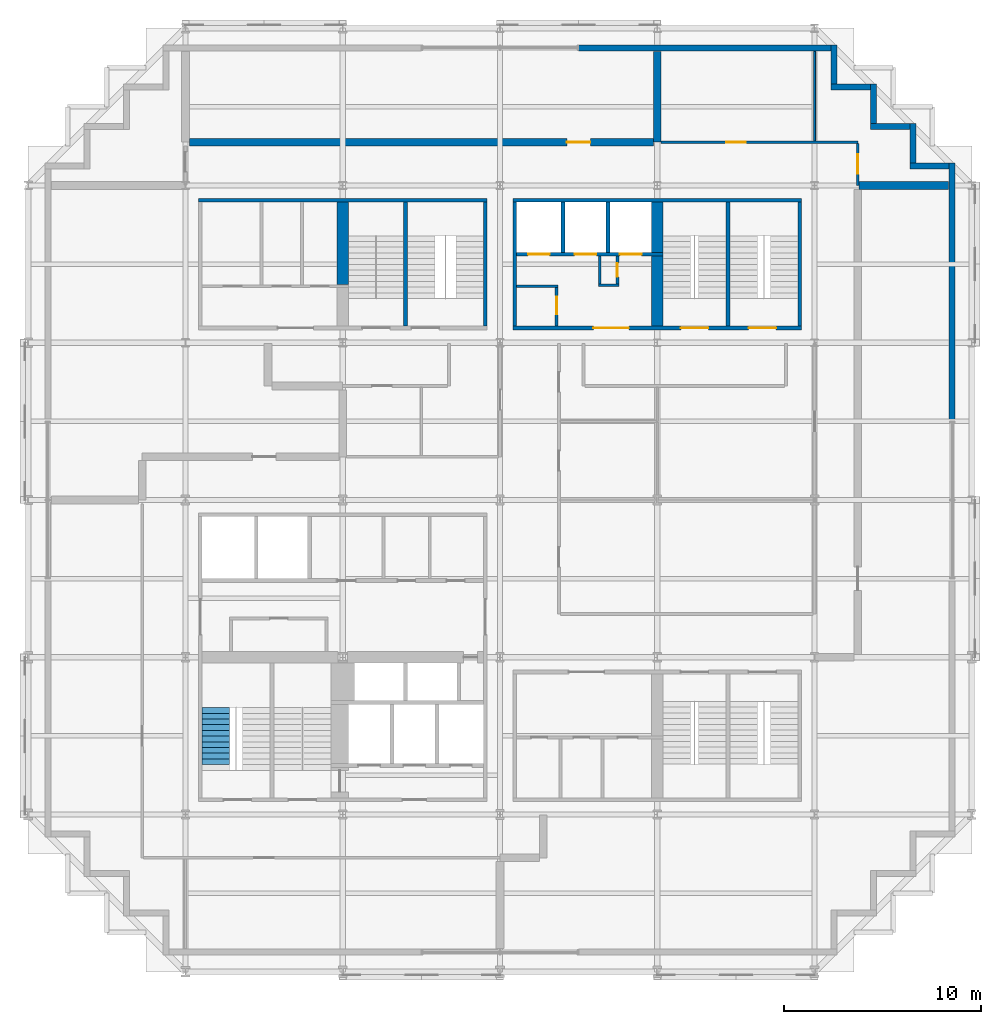
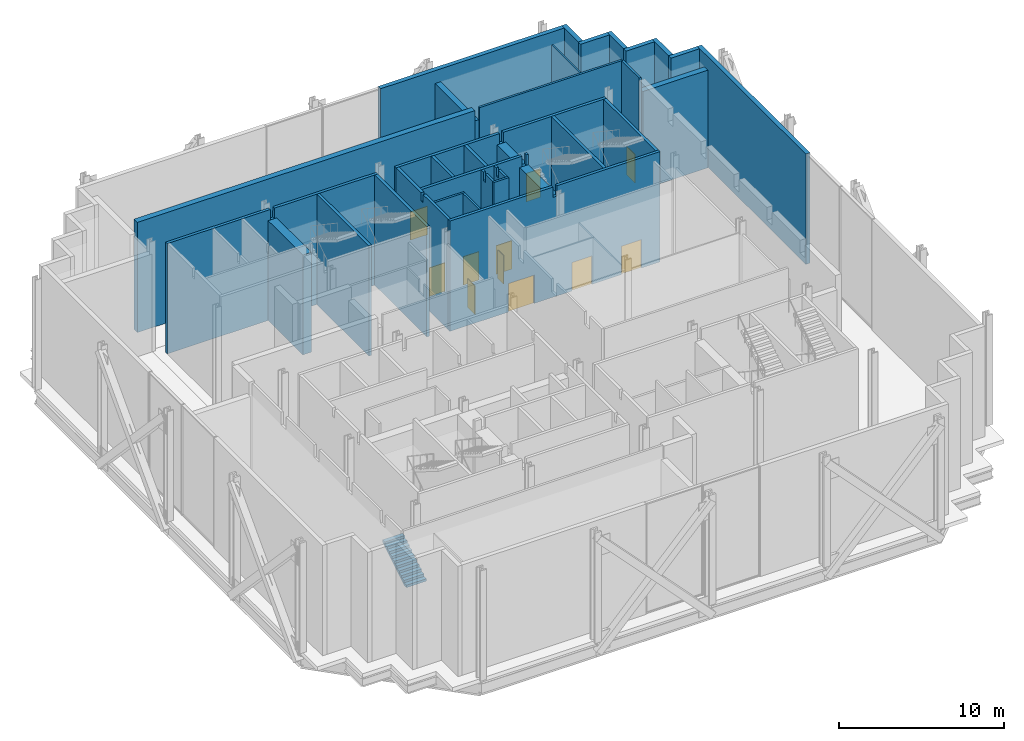
# One storey, part 10 of 13: 33 walls, 11 doors, 1 stair flight, 11 openings, 1 element without a shape of its own.
"""IFC4 building model written with IfcOpenShell, lengths in metres."""

from ifc_helpers import new_model, si_unit, direction, frame, frame_2d, origin, place, context, subcontext, project, spatial, polyline, rectangle, outline, extrude, material, layer, layer_set, type_object, element, fill, aggregate, save


model = new_model("IFC4")

# Units and contexts
model_context = context("Model", 3, precision=1e-05, world=origin(), true_north=direction((0.0, 1.0)))
body_context = subcontext(model_context, "Body", "Model", "MODEL_VIEW")
ifc_project = project(units=[si_unit("LENGTHUNIT", "METRE"), si_unit("AREAUNIT", "SQUARE_METRE"), si_unit("VOLUMEUNIT", "CUBIC_METRE"), si_unit("PLANEANGLEUNIT", "RADIAN"), si_unit("MASSUNIT", "GRAM", prefix="KILO")], contexts=[model_context])

# Site, building, storey
site_placement = place(None, origin())
site = spatial("IfcSite", under=ifc_project, at=site_placement, CompositionType="ELEMENT")
building_placement = place(site_placement, origin())
building = spatial("IfcBuilding", under=site, at=building_placement, Name="Immortelle Media Tower", CompositionType="ELEMENT")
storey_placement = place(building_placement, frame((0.0, 0.0, 21.0)))
storey = spatial("IfcBuildingStorey", under=building, at=storey_placement, Name="L02", CompositionType="ELEMENT", Elevation=21.0)

# Wall
ifc_material_1 = material(Name="Fire-rated gypsum board", Category="gypsum")
ifc_layer_1 = layer(ifc_material_1, 0.02490234375)
ifc_material_2 = material(Name="Steel ASTM A653 SS Gr 50 stud frame with mineral wool", Category="steel")
ifc_layer_2 = layer(ifc_material_2, 0.10009765625)
ifc_layer_3 = layer(ifc_material_1, 0.02490234375)
ifc_layer_set_1 = layer_set([ifc_layer_1, ifc_layer_2, ifc_layer_3], Name="Steel ASTM A653 SS Gr 50 stud frame with mineral wool")
wall_type_1 = type_object("IfcWallType", Name="Core partition 150", PredefinedType="PARTITIONING", material=ifc_layer_set_1)
wall_1_placement = place(storey_placement, frame((24.85009765625, 34.875, 0.0), z_axis=(0.0, 0.0, 1.0), x_axis=(1.0, 0.0, 0.0)))
element("IfcWall", 1, at=wall_1_placement, inside=storey, type_object=wall_type_1, Name="Core partition NE", PredefinedType="PARTITIONING", context=body_context, shape_type="SweptSolid", body=[
    extrude(rectangle(XDim=2.099853515625, YDim=0.14990234375, at=frame_2d((1.0498046875, 0.0))), origin(), (0.0, 0.0, 1.0), 8.14990234375),
])

# Wall, opening, door
wall_2_placement = place(storey_placement, frame((26.875, 32.85009765625, 0.0), z_axis=(0.0, 0.0, 1.0), x_axis=(0.0, 1.0, 0.0)))
wall_2 = element("IfcWall", 2, at=wall_2_placement, inside=storey, type_object=wall_type_1, Name="Core partition NE", PredefinedType="PARTITIONING", context=body_context, shape_type="SweptSolid", body=[
    extrude(rectangle(XDim=1.949951171875, YDim=0.14990234375, at=frame_2d((0.97509765625, 0.0))), origin(), (0.0, 0.0, 1.0), 8.14990234375),
])
opening_1_placement = place(wall_2_placement, frame((0.60009765625, 0.0, 0.0)))
opening_1 = element("IfcOpeningElement", 3, at=opening_1_placement, cuts=wall_2, Name="Opening P2-K028", PredefinedType="OPENING", context=body_context, shape_type="SweptSolid", body=[
    extrude(rectangle(XDim=0.89990234375, YDim=2.10009765625, at=frame_2d((0.449951171875, 1.050048828125))), frame((0.0, 0.0849609375, 0.0), z_axis=(0.0, -1.0, 0.0), x_axis=(1.0, 0.0, 0.0)), (0.0, 0.0, 1.0), 0.169921875),
])
ifc_material_3 = material(Name="Galvanised steel door leaf and frame ASTM A653", Category="steel")
door_type_1 = type_object("IfcDoorType", Name="Service door 900 x 2100", OperationType="NOTDEFINED", PredefinedType="NOTDEFINED", material=ifc_material_3)
door_1_placement = place(opening_1_placement, origin())
door_1 = element("IfcDoor", 4, at=door_1_placement, inside=storey, type_object=door_type_1, Name="Service P2-K028", OperationType="SINGLE_SWING_LEFT", OverallHeight=2.10009765625, OverallWidth=0.89990234375, PredefinedType="NOTDEFINED", context=body_context, shape_type="SweptSolid", body=[
    extrude(rectangle(XDim=0.89990234375, YDim=2.10009765625, at=frame_2d((0.449951171875, 1.050048828125))), frame((0.0, 0.02490234375, 0.0), z_axis=(0.0, -1.0, 0.0), x_axis=(1.0, 0.0, 0.0)), (0.0, 0.0, 1.0), 0.050048828125),
])
fill(opening_1, door_1)

# Walls
wall_3_placement = place(storey_placement, frame((29.0, 34.925048828125, 0.0), z_axis=(0.0, 0.0, 1.0), x_axis=(1.0, 0.0, 0.0)))
element("IfcWall", 5, at=wall_3_placement, inside=storey, type_object=wall_type_1, Name="Core partition NE", PredefinedType="PARTITIONING", context=body_context, shape_type="SweptSolid", body=[
    extrude(rectangle(XDim=1.050048828125, YDim=0.14990234375, at=frame_2d((0.52490234375, 0.0))), origin(), (0.0, 0.0, 1.0), 8.14990234375),
])
wall_4_placement = place(storey_placement, frame((29.074951171875, 35.0, 0.0), z_axis=(0.0, 0.0, 1.0), x_axis=(0.0, 1.0, 0.0)))
element("IfcWall", 6, at=wall_4_placement, inside=storey, type_object=wall_type_1, Name="Core partition NE", PredefinedType="PARTITIONING", context=body_context, shape_type="SweptSolid", body=[
    extrude(outline(polyline([(0.0, 0.0), (1.39990234375, 0.0), (1.39990234375, 8.14990234375), (1.119384765625, 8.14990234375), (1.118408203125, 7.531982421875), (0.881591796875, 7.531982421875), (0.880615234375, 8.14990234375), (0.0, 8.14990234375), (0.0, 0.0)])), frame((0.0, 0.074951171875, 0.0), z_axis=(0.0, -1.0, 0.0), x_axis=(1.0, 0.0, 0.0)), (0.0, 0.0, 1.0), 0.14990234375),
])

# Wall, opening, door
wall_5_placement = place(storey_placement, frame((29.97509765625, 35.0, 0.0), z_axis=(0.0, 0.0, 1.0), x_axis=(0.0, 1.0, 0.0)))
wall_5 = element("IfcWall", 7, at=wall_5_placement, inside=storey, type_object=wall_type_1, Name="Core partition NE", PredefinedType="PARTITIONING", context=body_context, shape_type="SweptSolid", body=[
    extrude(outline(polyline([(0.0, 0.0), (1.39990234375, 0.0), (1.39990234375, 8.14990234375), (1.119384765625, 8.14990234375), (1.118408203125, 7.531982421875), (0.881591796875, 7.531982421875), (0.880615234375, 8.14990234375), (0.0, 8.14990234375), (0.0, 0.0)])), frame((0.0, 0.074951171875, 0.0), z_axis=(0.0, -1.0, 0.0), x_axis=(1.0, 0.0, 0.0)), (0.0, 0.0, 1.0), 0.14990234375),
])
opening_2_placement = place(wall_5_placement, frame((0.35009765625, 0.0, 0.0)))
opening_2 = element("IfcOpeningElement", 8, at=opening_2_placement, cuts=wall_5, Name="Opening P2-K031", PredefinedType="OPENING", context=body_context, shape_type="SweptSolid", body=[
    extrude(rectangle(XDim=0.699951171875, YDim=2.10009765625, at=frame_2d((0.35009765625, 1.050048828125))), frame((0.0, 0.0849609375, 0.0), z_axis=(0.0, -1.0, 0.0), x_axis=(1.0, 0.0, 0.0)), (0.0, 0.0, 1.0), 0.169921875),
])
door_type_2 = type_object("IfcDoorType", Name="Service door 700 x 2100", OperationType="NOTDEFINED", PredefinedType="NOTDEFINED", material=ifc_material_3)
door_2_placement = place(opening_2_placement, origin())
door_2 = element("IfcDoor", 9, at=door_2_placement, inside=storey, type_object=door_type_2, Name="Service P2-K031", OperationType="SINGLE_SWING_RIGHT", OverallHeight=2.10009765625, OverallWidth=0.699951171875, PredefinedType="NOTDEFINED", context=body_context, shape_type="SweptSolid", body=[
    extrude(rectangle(XDim=0.699951171875, YDim=2.10009765625, at=frame_2d((0.35009765625, 1.050048828125))), frame((0.0, 0.02490234375, 0.0), z_axis=(0.0, -1.0, 0.0), x_axis=(1.0, 0.0, 0.0)), (0.0, 0.0, 1.0), 0.050048828125),
])
fill(opening_2, door_2)

# Wall
ifc_layer_4 = layer(ifc_material_1, 0.03759765625)
ifc_layer_5 = layer(ifc_material_2, 0.125)
ifc_layer_6 = layer(ifc_material_1, 0.03759765625)
ifc_layer_set_2 = layer_set([ifc_layer_4, ifc_layer_5, ifc_layer_6], Name="Steel ASTM A653 SS Gr 50 stud frame with mineral wool")
wall_type_2 = type_object("IfcWallType", Name="Core shaft wall 200", PredefinedType="PARTITIONING", material=ifc_layer_set_2)
wall_6_placement = place(storey_placement, frame((24.75, 32.85009765625, 0.0), z_axis=(0.0, 0.0, 1.0), x_axis=(0.0, 1.0, 0.0)))
element("IfcWall", 10, at=wall_6_placement, inside=storey, type_object=wall_type_2, Name="Core shaft wall NE", PredefinedType="PARTITIONING", context=body_context, shape_type="SweptSolid", body=[
    extrude(outline(polyline([(0.0, 0.0), (6.2998046875, 0.0), (6.300048828125, 8.14990234375), (3.26953125, 8.14990234375), (3.2685546875, 7.531982421875), (3.031494140625, 7.531982421875), (3.030517578125, 8.14990234375), (0.0, 8.14990234375), (0.0, 0.0)])), frame((0.0, 0.10009765625, 0.0), z_axis=(0.0, -1.0, 0.0), x_axis=(1.0, 0.0, 0.0)), (0.0, 0.0, 1.0), 0.199951171875),
])

# Wall, openings, doors
wall_7_placement = place(storey_placement, frame((24.85009765625, 36.5, 0.0), z_axis=(0.0, 0.0, 1.0), x_axis=(1.0, 0.0, 0.0)))
wall_7 = element("IfcWall", 11, at=wall_7_placement, inside=storey, type_object=wall_type_2, Name="Core shaft wall NE", PredefinedType="PARTITIONING", context=body_context, shape_type="SweptSolid", body=[
    extrude(outline(polyline([(0.0, 0.0), (7.449951171875, 0.0), (7.449951171875, 8.14990234375), (7.28857421875, 8.14990234375), (7.28759765625, 7.382080078125), (7.012451171875, 7.382080078125), (7.011474609375, 8.14990234375), (0.0, 8.14990234375), (0.0, 0.0)])), frame((0.0, 0.10009765625, 0.0), z_axis=(0.0, -1.0, 0.0), x_axis=(1.0, 0.0, 0.0)), (0.0, 0.0, 1.0), 0.199951171875),
])
opening_3_placement = place(wall_7_placement, frame((0.574951171875, 0.0, 0.0)))
opening_3 = element("IfcOpeningElement", 12, at=opening_3_placement, cuts=wall_7, Name="Opening LD", PredefinedType="OPENING", context=body_context, shape_type="SweptSolid", body=[
    extrude(rectangle(XDim=1.10009765625, YDim=2.10009765625, at=frame_2d((0.550048828125, 1.050048828125))), frame((0.0, 0.10986328125, 0.0), z_axis=(0.0, -1.0, 0.0), x_axis=(1.0, 0.0, 0.0)), (0.0, 0.0, 1.0), 0.219970703125),
])
opening_4_placement = place(wall_7_placement, frame((2.949951171875, 0.0, 0.0)))
opening_4 = element("IfcOpeningElement", 13, at=opening_4_placement, cuts=wall_7, Name="Opening LD", PredefinedType="OPENING", context=body_context, shape_type="SweptSolid", body=[
    extrude(rectangle(XDim=1.10009765625, YDim=2.10009765625, at=frame_2d((0.550048828125, 1.050048828125))), frame((0.0, 0.10986328125, 0.0), z_axis=(0.0, -1.0, 0.0), x_axis=(1.0, 0.0, 0.0)), (0.0, 0.0, 1.0), 0.219970703125),
])
opening_5_placement = place(wall_7_placement, frame((5.25, 0.0, 0.0)))
opening_5 = element("IfcOpeningElement", 14, at=opening_5_placement, cuts=wall_7, Name="Opening LD", PredefinedType="OPENING", context=body_context, shape_type="SweptSolid", body=[
    extrude(rectangle(XDim=1.10009765625, YDim=2.10009765625, at=frame_2d((0.550048828125, 1.050048828125))), frame((0.0, 0.10986328125, 0.0), z_axis=(0.0, -1.0, 0.0), x_axis=(1.0, 0.0, 0.0)), (0.0, 0.0, 1.0), 0.219970703125),
])
ifc_material_4 = material(Name="Stainless steel AISI 304", Category="steel")
door_type_3 = type_object("IfcDoorType", Name="Landing door 1100 x 2100", OperationType="SLIDING_TO_LEFT", PredefinedType="NOTDEFINED", material=ifc_material_4)
door_3_placement = place(opening_3_placement, origin())
door_3 = element("IfcDoor", 15, at=door_3_placement, inside=storey, type_object=door_type_3, Name="Landing door LR1 L02", OperationType="SLIDING_TO_LEFT", OverallHeight=2.10009765625, OverallWidth=1.10009765625, PredefinedType="NOTDEFINED", context=body_context, shape_type="SweptSolid", body=[
    extrude(rectangle(XDim=1.10009765625, YDim=2.10009765625, at=frame_2d((0.550048828125, 1.050048828125))), frame((0.0, 0.02490234375, 0.0), z_axis=(0.0, -1.0, 0.0), x_axis=(1.0, 0.0, 0.0)), (0.0, 0.0, 1.0), 0.050048828125),
])
fill(opening_3, door_3)
door_4_placement = place(opening_4_placement, origin())
door_4 = element("IfcDoor", 16, at=door_4_placement, inside=storey, type_object=door_type_3, Name="Landing door LR2 L02", OperationType="SLIDING_TO_LEFT", OverallHeight=2.10009765625, OverallWidth=1.10009765625, PredefinedType="NOTDEFINED", context=body_context, shape_type="SweptSolid", body=[
    extrude(rectangle(XDim=1.10009765625, YDim=2.10009765625, at=frame_2d((0.550048828125, 1.050048828125))), frame((0.0, 0.02490234375, 0.0), z_axis=(0.0, -1.0, 0.0), x_axis=(1.0, 0.0, 0.0)), (0.0, 0.0, 1.0), 0.050048828125),
])
fill(opening_4, door_4)
door_5_placement = place(opening_5_placement, origin())
door_5 = element("IfcDoor", 17, at=door_5_placement, inside=storey, type_object=door_type_3, Name="Landing door LR3 L02", OperationType="SLIDING_TO_LEFT", OverallHeight=2.10009765625, OverallWidth=1.10009765625, PredefinedType="NOTDEFINED", context=body_context, shape_type="SweptSolid", body=[
    extrude(rectangle(XDim=1.10009765625, YDim=2.10009765625, at=frame_2d((0.550048828125, 1.050048828125))), frame((0.0, 0.02490234375, 0.0), z_axis=(0.0, -1.0, 0.0), x_axis=(1.0, 0.0, 0.0)), (0.0, 0.0, 1.0), 0.050048828125),
])
fill(opening_5, door_5)

# Walls
for number, where, z_axis, x_axis, name in (
    (18, (27.199951171875, 36.60009765625, 0.0), (0.0, 0.0, 1.0), (0.0, 1.0, 0.0), "Core shaft wall NE"),
    (19, (29.5, 36.60009765625, 0.0), (0.0, 0.0, 1.0), (0.0, 1.0, 0.0), "Core shaft wall NE"),
):
    element("IfcWall", number, at=place(storey_placement, frame(where, z_axis=z_axis, x_axis=x_axis)), inside=storey, type_object=wall_type_2, Name=name, PredefinedType="PARTITIONING", context=body_context, shape_type="SweptSolid", body=[
        extrude(rectangle(XDim=2.5498046875, YDim=0.199951171875, at=frame_2d((1.27490234375, 0.0))), origin(), (0.0, 0.0, 1.0), 8.14990234375),
    ])

# Wall, opening, door
ifc_layer_7 = layer(ifc_material_1, 0.012451171875)
ifc_layer_8 = layer(ifc_material_2, 0.125)
ifc_layer_9 = layer(ifc_material_1, 0.012451171875)
ifc_layer_set_3 = layer_set([ifc_layer_7, ifc_layer_8, ifc_layer_9], Name="Steel ASTM A653 SS Gr 50 stud frame with mineral wool")
wall_type_3 = type_object("IfcWallType", Name="Corridor wall 150", PredefinedType="PARTITIONING", material=ifc_layer_set_3)
wall_8_placement = place(storey_placement, frame((42.199951171875, 40.0, 0.0), z_axis=(0.0, 0.0, 1.0), x_axis=(0.0, 1.0, 0.0)))
wall_8 = element("IfcWall", 20, at=wall_8_placement, inside=storey, type_object=wall_type_3, Name="Partition L02-033", PredefinedType="PARTITIONING", context=body_context, shape_type="SweptSolid", body=[
    extrude(rectangle(XDim=2.125, YDim=0.14990234375, at=frame_2d((1.0625, 0.0))), origin(), (0.0, 0.0, 1.0), 8.14990234375),
])
opening_6_placement = place(wall_8_placement, frame((1.60009765625, 0.0, 0.0), z_axis=(0.0, 0.0, 1.0), x_axis=(-1.0, 0.0, 0.0)))
opening_6 = element("IfcOpeningElement", 21, at=opening_6_placement, cuts=wall_8, Name="Opening P2-F012", PredefinedType="OPENING", context=body_context, shape_type="SweptSolid", body=[
    extrude(rectangle(XDim=1.0, YDim=2.10009765625, at=frame_2d((0.5, 1.050048828125))), frame((0.0, 0.0849609375, 0.0), z_axis=(0.0, -1.0, 0.0), x_axis=(1.0, 0.0, 0.0)), (0.0, 0.0, 1.0), 0.169921875),
])
ifc_material_5 = material(Name="Timber veneered door leaf, galvanised steel frame ASTM A653", Category="steel")
door_type_4 = type_object("IfcDoorType", Name="Room door 1000 x 2100", OperationType="NOTDEFINED", PredefinedType="DOOR", material=ifc_material_5)
door_6_placement = place(opening_6_placement, origin())
door_6 = element("IfcDoor", 22, at=door_6_placement, inside=storey, type_object=door_type_4, Name="Door P2-F012", OperationType="SINGLE_SWING_RIGHT", OverallHeight=2.10009765625, OverallWidth=1.0, PredefinedType="DOOR", context=body_context, shape_type="SweptSolid", body=[
    extrude(rectangle(XDim=1.0, YDim=2.10009765625, at=frame_2d((0.5, 1.050048828125))), frame((0.0, 0.02490234375, 0.0), z_axis=(0.0, -1.0, 0.0), x_axis=(1.0, 0.0, 0.0)), (0.0, 0.0, 1.0), 0.050048828125),
])
fill(opening_6, door_6)

wall_9_placement = place(storey_placement, frame((32.199951171875, 42.199951171875, 0.0), z_axis=(0.0, 0.0, 1.0), x_axis=(1.0, 0.0, 0.0)))
wall_9 = element("IfcWall", 23, at=wall_9_placement, inside=storey, type_object=wall_type_3, Name="Partition L02-037", PredefinedType="PARTITIONING", context=body_context, shape_type="SweptSolid", body=[
    extrude(rectangle(XDim=10.0, YDim=0.14990234375, at=frame_2d((5.0, 0.0))), origin(), (0.0, 0.0, 1.0), 8.14990234375),
])
opening_7_placement = place(wall_9_placement, frame((3.300048828125, 0.0, 0.0)))
opening_7 = element("IfcOpeningElement", 24, at=opening_7_placement, cuts=wall_9, Name="Opening P2-F014", PredefinedType="OPENING", context=body_context, shape_type="SweptSolid", body=[
    extrude(rectangle(XDim=1.0, YDim=2.10009765625, at=frame_2d((0.5, 1.050048828125))), frame((0.0, 0.0849609375, 0.0), z_axis=(0.0, -1.0, 0.0), x_axis=(1.0, 0.0, 0.0)), (0.0, 0.0, 1.0), 0.169921875),
])
door_7_placement = place(opening_7_placement, origin())
door_7 = element("IfcDoor", 25, at=door_7_placement, inside=storey, type_object=door_type_4, Name="Door P2-F014", OperationType="SINGLE_SWING_LEFT", OverallHeight=2.10009765625, OverallWidth=1.0, PredefinedType="DOOR", context=body_context, shape_type="SweptSolid", body=[
    extrude(rectangle(XDim=1.0, YDim=2.10009765625, at=frame_2d((0.5, 1.050048828125))), frame((0.0, 0.02490234375, 0.0), z_axis=(0.0, -1.0, 0.0), x_axis=(1.0, 0.0, 0.0)), (0.0, 0.0, 1.0), 0.050048828125),
])
fill(opening_7, door_7)

# Walls
ifc_material_6 = material(Name="Pale aluminium cladding panel", Category="aluminium")
ifc_layer_10 = layer(ifc_material_6, 0.030029296875)
ifc_layer_11 = layer(ifc_material_2, 0.257568359375)
ifc_material_7 = material(Name="Moisture-resistant gypsum board", Category="gypsum")
ifc_layer_12 = layer(ifc_material_7, 0.012451171875)
ifc_layer_set_4 = layer_set([ifc_layer_10, ifc_layer_11, ifc_layer_12], Name="Steel ASTM A653 SS Gr 50 stud frame with mineral wool")
wall_type_4 = type_object("IfcWallType", Name="Pale metal clad wall 300", PredefinedType="STANDARD", material=ifc_layer_set_4)
wall_10_placement = place(storey_placement, frame((47.0, 28.0, 0.0), z_axis=(0.0, 0.0, 1.0), x_axis=(0.0, 1.0, 0.0)))
element("IfcWall", 26, at=wall_10_placement, inside=storey, type_object=wall_type_4, Name="Studio wall L02 E 14-3", PredefinedType="STANDARD", context=body_context, shape_type="SweptSolid", body=[
    extrude(rectangle(XDim=13.14990234375, YDim=0.300048828125, at=frame_2d((6.574951171875, 0.0))), origin(), (0.0, 0.0, 1.0), 8.14990234375),
])
for number, where, z_axis, x_axis, name in (
    (27, (46.85009765625, 41.0, 0.0), (0.0, 0.0, 1.0), (-1.0, 0.0, 0.0), "Studio wall L02 N 15"),
    (28, (45.0, 41.14990234375, 0.0), (0.0, 0.0, 1.0), (0.0, 1.0, 0.0), "Studio wall L02 E 16"),
    (29, (44.85009765625, 43.0, 0.0), (0.0, 0.0, 1.0), (-1.0, 0.0, 0.0), "Studio wall L02 N 17"),
    (30, (43.0, 43.14990234375, 0.0), (0.0, 0.0, 1.0), (0.0, 1.0, 0.0), "Studio wall L02 E 18"),
    (31, (42.85009765625, 45.0, 0.0), (0.0, 0.0, 1.0), (-1.0, 0.0, 0.0), "Studio wall L02 N 19"),
    (32, (41.0, 45.14990234375, 0.0), (0.0, 0.0, 1.0), (0.0, 1.0, 0.0), "Studio wall L02 E 20"),
):
    element("IfcWall", number, at=place(storey_placement, frame(where, z_axis=z_axis, x_axis=x_axis)), inside=storey, type_object=wall_type_4, Name=name, PredefinedType="STANDARD", context=body_context, shape_type="SweptSolid", body=[
        extrude(rectangle(XDim=2.0, YDim=0.300048828125, at=frame_2d((1.0, 0.0))), origin(), (0.0, 0.0, 1.0), 8.14990234375),
    ])
wall_11_placement = place(storey_placement, frame((40.85009765625, 47.0, 0.0), z_axis=(0.0, 0.0, 1.0), x_axis=(-1.0, 0.0, 0.0)))
element("IfcWall", 33, at=wall_11_placement, inside=storey, type_object=wall_type_4, Name="Studio wall L02 N 21-1", PredefinedType="STANDARD", context=body_context, shape_type="SweptSolid", body=[
    extrude(rectangle(XDim=12.85009765625, YDim=0.300048828125, at=frame_2d((6.425048828125, 0.0))), origin(), (0.0, 0.0, 1.0), 8.14990234375),
])
ifc_material_8 = material(Name="Gypsum board", Category="gypsum")
ifc_layer_13 = layer(ifc_material_8, 0.012451171875)
ifc_layer_14 = layer(ifc_material_2, 0.074951171875)
ifc_layer_15 = layer(ifc_material_8, 0.012451171875)
ifc_layer_set_5 = layer_set([ifc_layer_13, ifc_layer_14, ifc_layer_15], Name="Steel ASTM A653 SS Gr 50 stud frame with mineral wool")
wall_type_5 = type_object("IfcWallType", Name="Partition 100", PredefinedType="PARTITIONING", material=ifc_layer_set_5)
wall_12_placement = place(storey_placement, frame((40.0, 42.27490234375, 0.0), z_axis=(0.0, 0.0, 1.0), x_axis=(0.0, 1.0, 0.0)))
element("IfcWall", 34, at=wall_12_placement, inside=storey, type_object=wall_type_5, Name="Partition L02-039", PredefinedType="PARTITIONING", context=body_context, shape_type="SweptSolid", body=[
    extrude(rectangle(XDim=4.545166015625, YDim=0.10009765625, at=frame_2d((2.2724609375, 0.0))), origin(), (0.0, 0.0, 1.0), 7.222900390625),
])
ifc_material_9 = material(Name="Concrete C60", Category="concrete")
ifc_layer_16 = layer(ifc_material_9, 0.199951171875)
ifc_layer_set_6 = layer_set([ifc_layer_16], Name="Concrete C60")
wall_type_6 = type_object("IfcWallType", Name="Stair shaft wall 200", PredefinedType="PARTITIONING", material=ifc_layer_set_6)
wall_13_placement = place(storey_placement, frame((8.64990234375, 39.25, 0.0), z_axis=(0.0, 0.0, 1.0), x_axis=(1.0, 0.0, 0.0)))
element("IfcWall", 35, at=wall_13_placement, inside=storey, type_object=wall_type_6, Name="Stair shaft wall NW", PredefinedType="PARTITIONING", context=body_context, shape_type="SweptSolid", body=[
    extrude(outline(polyline([(0.0, 0.0), (14.7001953125, 0.0), (14.699951171875, 8.14990234375), (7.488525390625, 8.14990234375), (7.487548828125, 7.382080078125), (7.21240234375, 7.382080078125), (7.21142578125, 8.14990234375), (0.0, 8.14990234375), (0.0, 0.0)])), frame((0.0, 0.10009765625, 0.0), z_axis=(0.0, -1.0, 0.0), x_axis=(1.0, 0.0, 0.0)), (0.0, 0.0, 1.0), 0.199951171875),
])
for number, where, z_axis, x_axis, name in (
    (36, (19.199951171875, 32.85009765625, 0.0), (0.0, 0.0, 1.0), (0.0, 1.0, 0.0), "Stair shaft wall NW"),
    (37, (23.25, 32.85009765625, 0.0), (0.0, 0.0, 1.0), (0.0, 1.0, 0.0), "Stair shaft wall NW"),
):
    element("IfcWall", number, at=place(storey_placement, frame(where, z_axis=z_axis, x_axis=x_axis)), inside=storey, type_object=wall_type_6, Name=name, PredefinedType="PARTITIONING", context=body_context, shape_type="SweptSolid", body=[
        extrude(rectangle(XDim=6.2998046875, YDim=0.199951171875, at=frame_2d((3.14990234375, 0.0))), origin(), (0.0, 0.0, 1.0), 8.14990234375),
    ])

# Wall, openings, doors
wall_14_placement = place(storey_placement, frame((24.64990234375, 32.75, 0.0), z_axis=(0.0, 0.0, 1.0), x_axis=(1.0, 0.0, 0.0)))
wall_14 = element("IfcWall", 38, at=wall_14_placement, inside=storey, type_object=wall_type_6, Name="Stair shaft wall NE", PredefinedType="PARTITIONING", context=body_context, shape_type="SweptSolid", body=[
    extrude(outline(polyline([(0.0, 0.0), (14.7001953125, 0.0), (14.699951171875, 8.14990234375), (7.488525390625, 8.14990234375), (7.487548828125, 7.382080078125), (7.21240234375, 7.382080078125), (7.21142578125, 8.14990234375), (0.0, 8.14990234375), (0.0, 0.0)])), frame((0.0, 0.10009765625, 0.0), z_axis=(0.0, -1.0, 0.0), x_axis=(1.0, 0.0, 0.0)), (0.0, 0.0, 1.0), 0.199951171875),
])
opening_8_placement = place(wall_14_placement, frame((4.10009765625, 0.0, 0.0)))
opening_8 = element("IfcOpeningElement", 39, at=opening_8_placement, cuts=wall_14, Name="Opening P2-K030", PredefinedType="OPENING", context=body_context, shape_type="SweptSolid", body=[
    extrude(rectangle(XDim=1.800048828125, YDim=2.10009765625, at=frame_2d((0.89990234375, 1.050048828125))), frame((0.0, 0.10986328125, 0.0), z_axis=(0.0, -1.0, 0.0), x_axis=(1.0, 0.0, 0.0)), (0.0, 0.0, 1.0), 0.219970703125),
])
opening_9_placement = place(wall_14_placement, frame((8.550048828125, 0.0, 0.0)))
opening_9 = element("IfcOpeningElement", 40, at=opening_9_placement, cuts=wall_14, Name="Opening P2-K033", PredefinedType="OPENING", context=body_context, shape_type="SweptSolid", body=[
    extrude(rectangle(XDim=1.39990234375, YDim=2.10009765625, at=frame_2d((0.699951171875, 1.050048828125))), frame((0.0, 0.10986328125, 0.0), z_axis=(0.0, -1.0, 0.0), x_axis=(1.0, 0.0, 0.0)), (0.0, 0.0, 1.0), 0.219970703125),
])
opening_10_placement = place(wall_14_placement, frame((12.0, 0.0, 0.0)))
opening_10 = element("IfcOpeningElement", 41, at=opening_10_placement, cuts=wall_14, Name="Opening P2-K034", PredefinedType="OPENING", context=body_context, shape_type="SweptSolid", body=[
    extrude(rectangle(XDim=1.39990234375, YDim=2.10009765625, at=frame_2d((0.699951171875, 1.050048828125))), frame((0.0, 0.10986328125, 0.0), z_axis=(0.0, -1.0, 0.0), x_axis=(1.0, 0.0, 0.0)), (0.0, 0.0, 1.0), 0.219970703125),
])
door_type_5 = type_object("IfcDoorType", Name="Lift lobby door 1800 x 2100", OperationType="DOUBLE_DOOR_SINGLE_SWING", PredefinedType="NOTDEFINED", material=ifc_material_3)
door_8_placement = place(opening_8_placement, origin())
door_8 = element("IfcDoor", 42, at=door_8_placement, inside=storey, type_object=door_type_5, Name="Lift lobby P2-K030", OperationType="DOUBLE_DOOR_SINGLE_SWING", OverallHeight=2.10009765625, OverallWidth=1.800048828125, PredefinedType="NOTDEFINED", context=body_context, shape_type="SweptSolid", body=[
    extrude(rectangle(XDim=1.800048828125, YDim=2.10009765625, at=frame_2d((0.89990234375, 1.050048828125))), frame((0.0, 0.02490234375, 0.0), z_axis=(0.0, -1.0, 0.0), x_axis=(1.0, 0.0, 0.0)), (0.0, 0.0, 1.0), 0.050048828125),
])
fill(opening_8, door_8)
door_type_6 = type_object("IfcDoorType", Name="Stair door 1400 x 2100", OperationType="DOUBLE_DOOR_SINGLE_SWING", PredefinedType="NOTDEFINED", material=ifc_material_3)
door_9_placement = place(opening_9_placement, origin())
door_9 = element("IfcDoor", 43, at=door_9_placement, inside=storey, type_object=door_type_6, Name="Stair P2-K033", OperationType="DOUBLE_DOOR_SINGLE_SWING", OverallHeight=2.10009765625, OverallWidth=1.39990234375, PredefinedType="NOTDEFINED", context=body_context, shape_type="SweptSolid", body=[
    extrude(rectangle(XDim=1.39990234375, YDim=2.10009765625, at=frame_2d((0.699951171875, 1.050048828125))), frame((0.0, 0.02490234375, 0.0), z_axis=(0.0, -1.0, 0.0), x_axis=(1.0, 0.0, 0.0)), (0.0, 0.0, 1.0), 0.050048828125),
])
fill(opening_9, door_9)
door_10_placement = place(opening_10_placement, origin())
door_10 = element("IfcDoor", 44, at=door_10_placement, inside=storey, type_object=door_type_6, Name="Stair P2-K034", OperationType="DOUBLE_DOOR_SINGLE_SWING", OverallHeight=2.10009765625, OverallWidth=1.39990234375, PredefinedType="NOTDEFINED", context=body_context, shape_type="SweptSolid", body=[
    extrude(rectangle(XDim=1.39990234375, YDim=2.10009765625, at=frame_2d((0.699951171875, 1.050048828125))), frame((0.0, 0.02490234375, 0.0), z_axis=(0.0, -1.0, 0.0), x_axis=(1.0, 0.0, 0.0)), (0.0, 0.0, 1.0), 0.050048828125),
])
fill(opening_10, door_10)

# Walls
wall_15_placement = place(storey_placement, frame((24.64990234375, 39.25, 0.0), z_axis=(0.0, 0.0, 1.0), x_axis=(1.0, 0.0, 0.0)))
element("IfcWall", 45, at=wall_15_placement, inside=storey, type_object=wall_type_6, Name="Stair shaft wall NE", PredefinedType="PARTITIONING", context=body_context, shape_type="SweptSolid", body=[
    extrude(outline(polyline([(0.0, 0.0), (14.7001953125, 0.0), (14.699951171875, 8.14990234375), (7.488525390625, 8.14990234375), (7.487548828125, 7.382080078125), (7.21240234375, 7.382080078125), (7.21142578125, 8.14990234375), (0.0, 8.14990234375), (0.0, 0.0)])), frame((0.0, 0.10009765625, 0.0), z_axis=(0.0, -1.0, 0.0), x_axis=(1.0, 0.0, 0.0)), (0.0, 0.0, 1.0), 0.199951171875),
])
for number, where, z_axis, x_axis, name in (
    (46, (35.60009765625, 32.85009765625, 0.0), (0.0, 0.0, 1.0), (0.0, 1.0, 0.0), "Stair shaft wall NE"),
    (47, (39.25, 32.85009765625, 0.0), (0.0, 0.0, 1.0), (0.0, 1.0, 0.0), "Stair shaft wall NE"),
):
    element("IfcWall", number, at=place(storey_placement, frame(where, z_axis=z_axis, x_axis=x_axis)), inside=storey, type_object=wall_type_6, Name=name, PredefinedType="PARTITIONING", context=body_context, shape_type="SweptSolid", body=[
        extrude(rectangle(XDim=6.2998046875, YDim=0.199951171875, at=frame_2d((3.14990234375, 0.0))), origin(), (0.0, 0.0, 1.0), 8.14990234375),
    ])
ifc_layer_17 = layer(ifc_material_9, 0.60009765625)
ifc_layer_set_7 = layer_set([ifc_layer_17], Name="Concrete C60")
wall_type_7 = type_object("IfcWallType", Name="Stair shaft wall 600", PredefinedType="PARTITIONING", material=ifc_layer_set_7)
wall_16_placement = place(storey_placement, frame((16.0, 34.949951171875, 0.0), z_axis=(0.0, 0.0, 1.0), x_axis=(0.0, 1.0, 0.0)))
element("IfcWall", 48, at=wall_16_placement, inside=storey, type_object=wall_type_7, Name="Stair shaft wall NW", PredefinedType="PARTITIONING", context=body_context, shape_type="SweptSolid", body=[
    extrude(rectangle(XDim=4.199951171875, YDim=0.60009765625, at=frame_2d((2.10009765625, 0.0))), origin(), (0.0, 0.0, 1.0), 7.382080078125),
])
wall_17_placement = place(storey_placement, frame((32.0, 32.85009765625, 0.0), z_axis=(0.0, 0.0, 1.0), x_axis=(0.0, 1.0, 0.0)))
element("IfcWall", 49, at=wall_17_placement, inside=storey, type_object=wall_type_7, Name="Stair shaft wall NE", PredefinedType="PARTITIONING", context=body_context, shape_type="SweptSolid", body=[
    extrude(rectangle(XDim=3.5498046875, YDim=0.60009765625, at=frame_2d((1.77490234375, 0.0))), origin(), (0.0, 0.0, 1.0), 7.382080078125),
])
wall_18_placement = place(storey_placement, frame((32.0, 36.60009765625, 0.0), z_axis=(0.0, 0.0, 1.0), x_axis=(0.0, 1.0, 0.0)))
element("IfcWall", 50, at=wall_18_placement, inside=storey, type_object=wall_type_7, Name="Stair shaft wall NE", PredefinedType="PARTITIONING", context=body_context, shape_type="SweptSolid", body=[
    extrude(rectangle(XDim=2.5498046875, YDim=0.60009765625, at=frame_2d((1.27490234375, 0.0))), origin(), (0.0, 0.0, 1.0), 7.382080078125),
])
ifc_material_10 = material(Name="Acoustic masonry blockwork", Category="masonry")
ifc_layer_18 = layer(ifc_material_10, 0.39990234375)
ifc_layer_set_8 = layer_set([ifc_layer_18], Name="Acoustic masonry blockwork")
wall_type_8 = type_object("IfcWallType", Name="Studio shell 400", PredefinedType="PARTITIONING", material=ifc_layer_set_8)
wall_19_placement = place(storey_placement, frame((42.27490234375, 40.0, 0.0), z_axis=(0.0, 0.0, 1.0), x_axis=(1.0, 0.0, 0.0)))
element("IfcWall", 51, at=wall_19_placement, inside=storey, type_object=wall_type_8, Name="Partition L02-032", PredefinedType="PARTITIONING", context=body_context, shape_type="SweptSolid", body=[
    extrude(rectangle(XDim=4.545166015625, YDim=0.39990234375, at=frame_2d((2.2724609375, 0.0))), origin(), (0.0, 0.0, 1.0), 7.222900390625),
])

# Wall, opening, door
wall_20_placement = place(storey_placement, frame((8.199951171875, 42.199951171875, 0.0), z_axis=(0.0, 0.0, 1.0), x_axis=(1.0, 0.0, 0.0)))
wall_20 = element("IfcWall", 52, at=wall_20_placement, inside=storey, type_object=wall_type_8, Name="Partition L02-035", PredefinedType="PARTITIONING", context=body_context, shape_type="SweptSolid", body=[
    extrude(rectangle(XDim=23.60009765625, YDim=0.39990234375, at=frame_2d((11.800048828125, 0.0))), origin(), (0.0, 0.0, 1.0), 8.14990234375),
])
opening_11_placement = place(wall_20_placement, frame((19.199951171875, 0.0, 0.0)))
opening_11 = element("IfcOpeningElement", 53, at=opening_11_placement, cuts=wall_20, Name="Opening P2-F013", PredefinedType="OPENING", context=body_context, shape_type="SweptSolid", body=[
    extrude(rectangle(XDim=1.199951171875, YDim=2.10009765625, at=frame_2d((0.60009765625, 1.050048828125))), frame((0.0, 0.2099609375, 0.0), z_axis=(0.0, -1.0, 0.0), x_axis=(1.0, 0.0, 0.0)), (0.0, 0.0, 1.0), 0.419921875),
])
ifc_material_11 = material(Name="Acoustic timber core door leaf", Category="wood")
door_type_7 = type_object("IfcDoorType", Name="Studio door 1200 x 2100 acoustic", OperationType="NOTDEFINED", PredefinedType="DOOR", material=ifc_material_11)
door_11_placement = place(opening_11_placement, origin())
door_11 = element("IfcDoor", 54, at=door_11_placement, inside=storey, type_object=door_type_7, Name="Door P2-F013", OperationType="SINGLE_SWING_RIGHT", OverallHeight=2.10009765625, OverallWidth=1.199951171875, PredefinedType="DOOR", context=body_context, shape_type="SweptSolid", body=[
    extrude(rectangle(XDim=1.199951171875, YDim=2.10009765625, at=frame_2d((0.60009765625, 1.050048828125))), frame((0.0, 0.02490234375, 0.0), z_axis=(0.0, -1.0, 0.0), x_axis=(1.0, 0.0, 0.0)), (0.0, 0.0, 1.0), 0.050048828125),
])
fill(opening_11, door_11)

# Wall
wall_21_placement = place(storey_placement, frame((32.0, 42.199951171875, 0.0), z_axis=(0.0, 0.0, 1.0), x_axis=(0.0, 1.0, 0.0)))
element("IfcWall", 55, at=wall_21_placement, inside=storey, type_object=wall_type_8, Name="Partition L02-038", PredefinedType="PARTITIONING", context=body_context, shape_type="SweptSolid", body=[
    extrude(rectangle(XDim=4.6201171875, YDim=0.39990234375, at=frame_2d((2.31005859375, 0.0))), origin(), (0.0, 0.0, 1.0), 7.222900390625),
])

# Stair, stair flight
ifc_material_12 = material(Name="Steel ASTM A992 Gr 50", Category="steel")
stair_type = type_object("IfcStairType", Name="Stair with flights", PredefinedType="DOUBLE_RETURN_STAIR", material=ifc_material_12)
stair_placement = place(storey_placement, origin())
stair = element("IfcStair", 56, at=stair_placement, inside=storey, type_object=stair_type, Name="Exit stair SW1", PredefinedType="DOUBLE_RETURN_STAIR")
stair_flight_type = type_object("IfcStairFlightType", Name="Stair flight 1400", PredefinedType="STRAIGHT", material=ifc_material_12)
stair_flight_placement = place(storey_placement, frame((9.550048828125, 10.5400390625, 0.0), z_axis=(0.0, 0.0, 1.0), x_axis=(0.0, 1.0, 0.0)))
stair_flight = element("IfcStairFlight", 57, at=stair_flight_placement, type_object=stair_flight_type, Name="ST SW1 flight 1", NumberOfRisers=11, NumberOfTreads=10, PredefinedType="STRAIGHT", RiserHeight=0.178723404, TreadLength=0.29, context=body_context, shape_type="SweptSolid", body=[
    extrude(outline(polyline([(0.0, 0.0), (0.0, 0.1787109375), (0.2900390625, 0.1787109375), (0.2900390625, 0.357421875), (0.580078125, 0.357421875), (0.580078125, 0.5361328125), (0.8701171875, 0.5361328125), (0.8701171875, 0.71484375), (1.159912109375, 0.71484375), (1.159912109375, 0.8935546875), (1.449951171875, 0.8935546875), (1.449951171875, 1.072265625), (1.739990234375, 1.072265625), (1.739990234375, 1.2509765625), (2.030029296875, 1.2509765625), (2.030029296875, 1.4296875), (2.320068359375, 1.4296875), (2.320068359375, 1.6083984375), (2.610107421875, 1.6083984375), (2.610107421875, 1.787353515625), (2.89990234375, 1.787353515625), (2.89990234375, 1.966064453125), (2.89990234375, 1.611083984375), (0.28564453125, 0.0), (0.0, 0.0)])), frame((0.0, 0.699951171875, 0.0), z_axis=(0.0, -1.0, 0.0), x_axis=(1.0, 0.0, 0.0)), (0.0, 0.0, 1.0), 1.39990234375),
])
aggregate(stair, [stair_flight])

save(model, "model.ifc")
